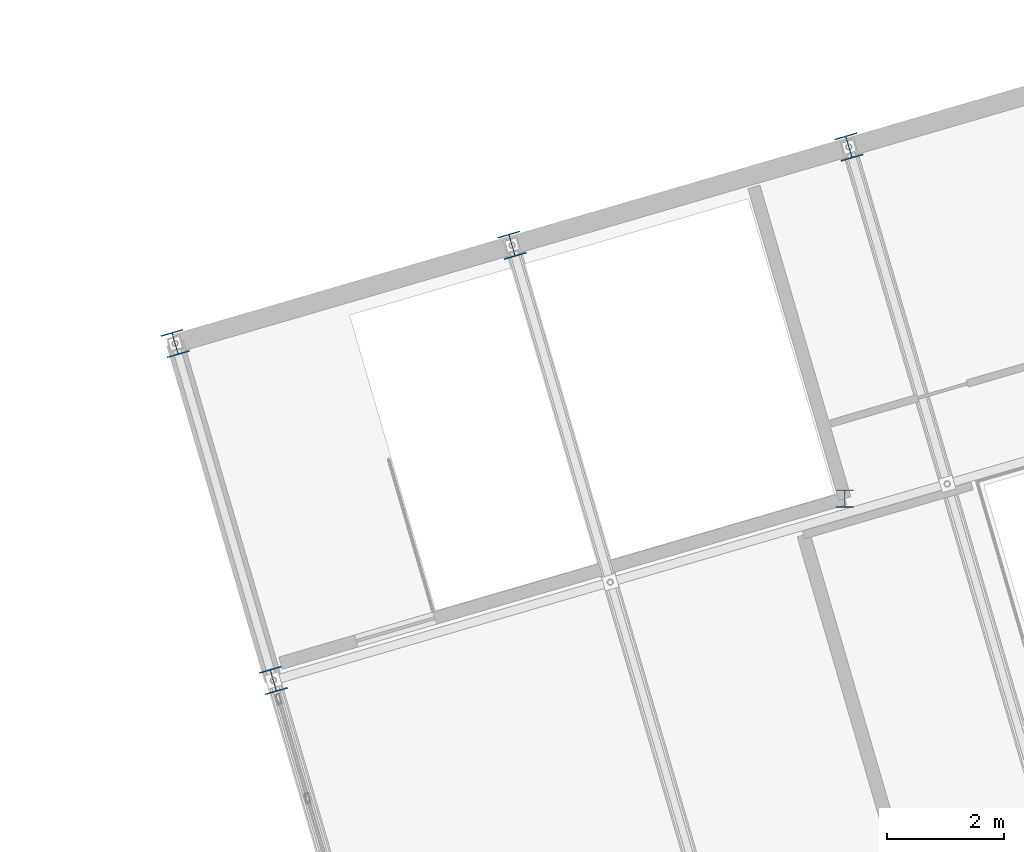
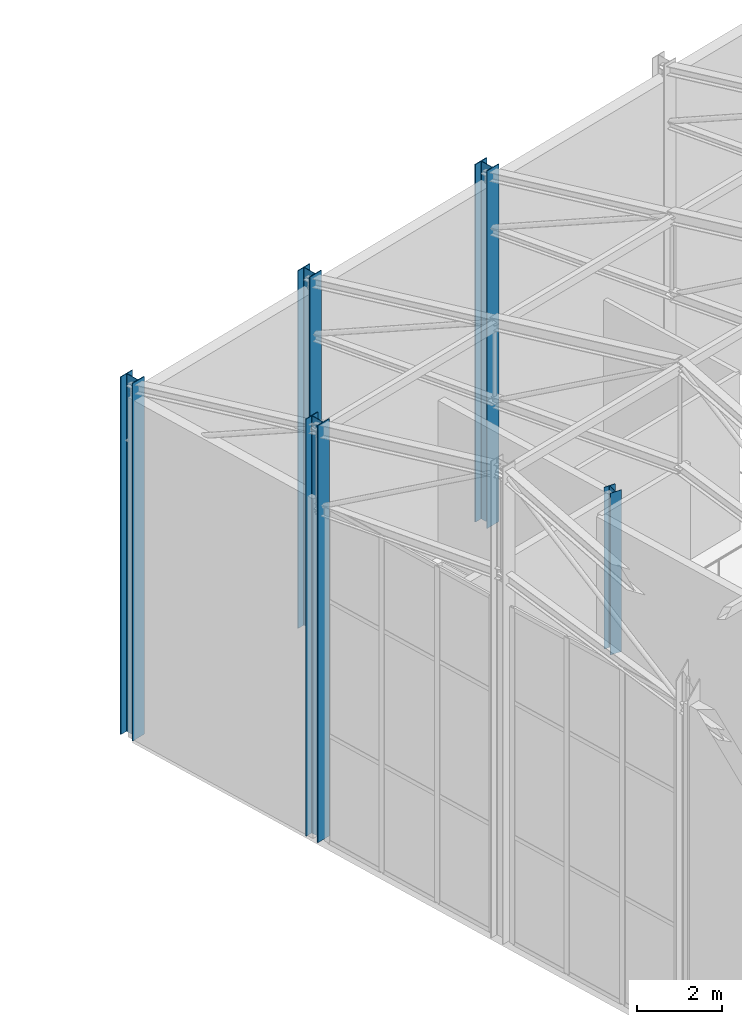
# One storey, part 11 of 248: 5 columns.
"""IFC4 building model written with IfcOpenShell, lengths in metres."""

from ifc_helpers import new_model, si_unit, direction, frame, origin, origin_2d, place, context, subcontext, project, spatial, i_section, extrude, material, material_profile, profile_set, type_object, element, save


model = new_model("IFC4")

# Units and contexts
model_context = context("Model", 3, precision=1e-05, world=origin(), true_north=direction((0.0, 1.0)))
body_context = subcontext(model_context, "Body", "Model", "MODEL_VIEW")
ifc_project = project(units=[si_unit("LENGTHUNIT", "METRE"), si_unit("AREAUNIT", "SQUARE_METRE"), si_unit("VOLUMEUNIT", "CUBIC_METRE"), si_unit("PLANEANGLEUNIT", "RADIAN"), si_unit("MASSUNIT", "GRAM", prefix="KILO")], contexts=[model_context])

# Site, building, storey
site_placement = place(None, origin())
site = spatial("IfcSite", under=ifc_project, at=site_placement, CompositionType="ELEMENT")
building_placement = place(site_placement, origin())
building = spatial("IfcBuilding", under=site, at=building_placement, Name="Canggui Botanical Conservatory", CompositionType="ELEMENT")
storey_placement = place(building_placement, frame((0.0, 0.0, 5.39990234375)))
storey = spatial("IfcBuildingStorey", under=building, at=storey_placement, Name="L02", CompositionType="ELEMENT", Elevation=5.39990234375)

# Columns
ifc_material = material(Name="Steel Q355B", Category="steel")
ifc_material_profile_1 = material_profile(ifc_material, i_section(OverallWidth=0.39990234375, OverallDepth=0.39990234375, WebThickness=0.012939453125, FlangeThickness=0.02099609375, FilletRadius=0.02197265625, at=origin_2d()), Name="HW 400x400x13x21")
ifc_profile_set_1 = profile_set([ifc_material_profile_1], Name="Steel Q355B")
column_type_1 = type_object("IfcColumnType", Name="COL-GZ03", PredefinedType="COLUMN", material=ifc_profile_set_1)
for number, where, z_axis, x_axis, name in (
    (1, (59.280029296875, 113.0400390625, 0.0), (0.0, 0.0, 1.0), (0.960000000041, 0.279999999861, 0.0), "Auditorium Upper Column L02-02"),
    (2, (65.0400390625, 114.719970703125, 0.0), (0.0, 0.0, 1.0), (0.960000000041, 0.279999999861, 0.0), "Auditorium Upper Column L02-04"),
    (3, (70.800048828125, 116.39990234375, 0.0), (0.0, 0.0, 1.0), (0.960000000041, 0.279999999861, 0.0), "Auditorium Upper Column L02-06"),
):
    element("IfcColumn", number, at=place(storey_placement, frame(where, z_axis=z_axis, x_axis=x_axis)), inside=storey, type_object=column_type_1, Name=name, PredefinedType="COLUMN", context=body_context, shape_type="SweptSolid", body=[
        extrude(i_section(OverallWidth=0.39990234375, OverallDepth=0.39990234375, WebThickness=0.012939453125, FlangeThickness=0.02099609375, FilletRadius=0.02197265625, at=origin_2d()), origin(), (0.0, 0.0, 1.0), 10.22021484375),
    ])
column_1_placement = place(storey_placement, frame((60.9599609375, 107.280029296875, 0.0), z_axis=(0.0, 0.0, 1.0), x_axis=(0.960000000041, 0.279999999861, 0.0)))
element("IfcColumn", 4, at=column_1_placement, inside=storey, type_object=column_type_1, Name="Auditorium Upper Column L02-17", PredefinedType="COLUMN", context=body_context, shape_type="SweptSolid", body=[
    extrude(i_section(OverallWidth=0.39990234375, OverallDepth=0.39990234375, WebThickness=0.012939453125, FlangeThickness=0.02099609375, FilletRadius=0.02197265625, at=origin_2d()), origin(), (0.0, 0.0, 1.0), 11.920166015625),
])
ifc_material_profile_2 = material_profile(ifc_material, i_section(OverallWidth=0.300048828125, OverallDepth=0.300048828125, WebThickness=0.010009765625, FlangeThickness=0.014892578125, FilletRadius=0.01806640625, at=origin_2d()), Name="HW 300x300x10x15")
ifc_profile_set_2 = profile_set([ifc_material_profile_2], Name="Steel Q355B")
column_type_2 = type_object("IfcColumnType", Name="COL-GZ05", PredefinedType="COLUMN", material=ifc_profile_set_2)
column_2_placement = place(storey_placement, frame((70.72998046875, 110.389892578125, 0.0), z_axis=(0.0, 0.0, 1.0), x_axis=(1.0, 0.0, 0.0)))
element("IfcColumn", 5, at=column_2_placement, inside=storey, type_object=column_type_2, Name="Skybridge Gallery Steel Column (70.73,110.39)", PredefinedType="COLUMN", context=body_context, shape_type="SweptSolid", body=[
    extrude(i_section(OverallWidth=0.300048828125, OverallDepth=0.300048828125, WebThickness=0.010009765625, FlangeThickness=0.014892578125, FilletRadius=0.01806640625, at=origin_2d()), origin(), (0.0, 0.0, 1.0), 4.6201171875),
])

save(model, "model.ifc")
